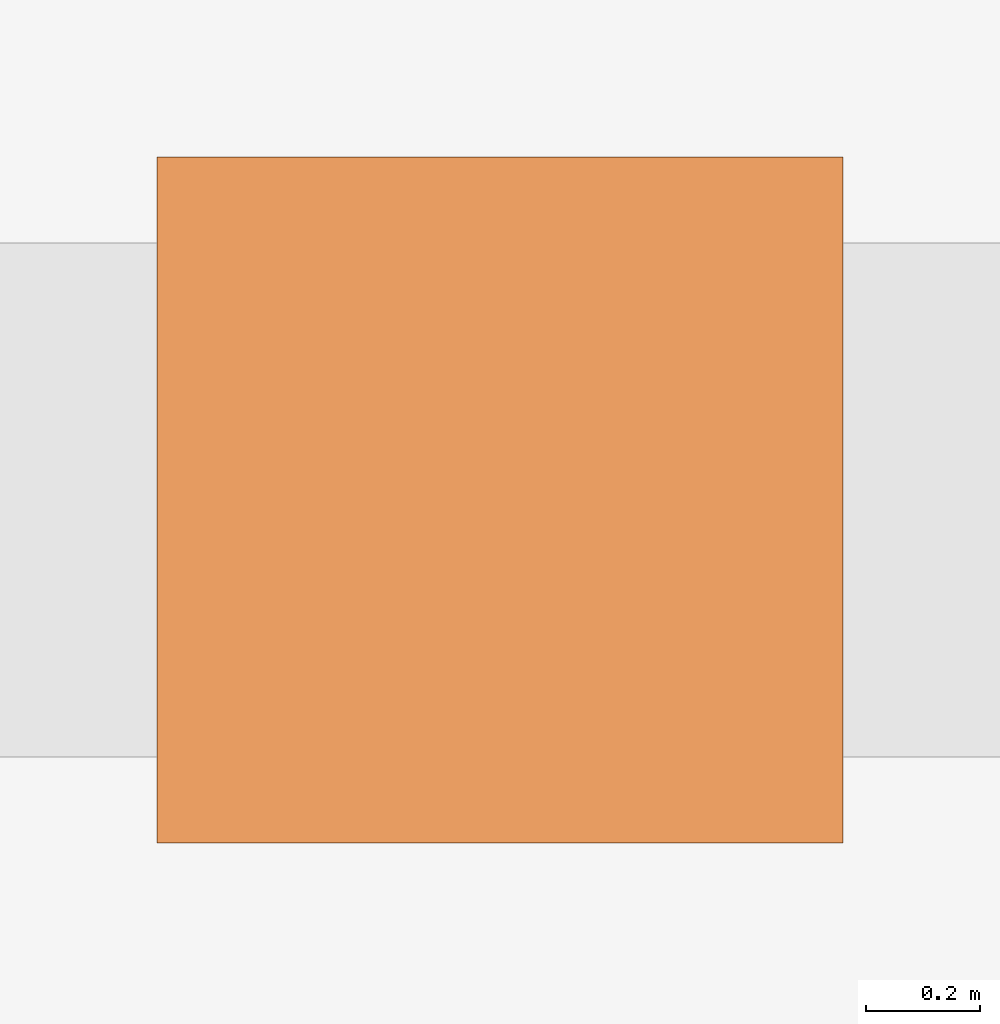
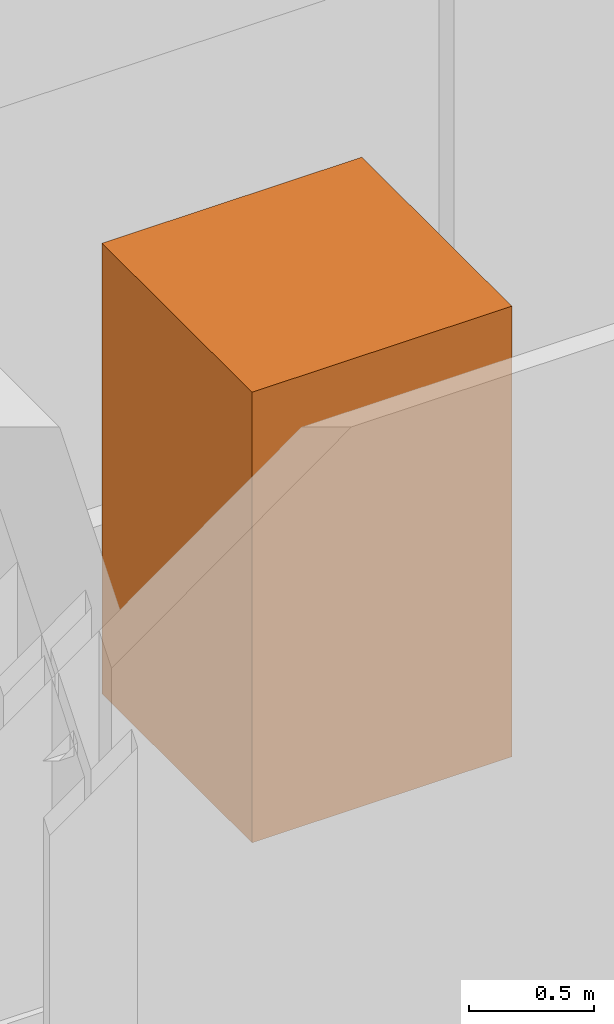
# One storey, part 10 of 10: 1 geographic element.
"""IFC4 building model written with IfcOpenShell, lengths in metres."""

from ifc_helpers import new_model, si_unit, direction, frame, origin, origin_2d, place, context, subcontext, project, spatial, rectangle, extrude, material, type_object, element, save


model = new_model("IFC4")

# Units and contexts
model_context = context("Model", 3, precision=1e-05, world=origin(), true_north=direction((0.0, 1.0)))
body_context = subcontext(model_context, "Body", "Model", "MODEL_VIEW")
ifc_project = project(units=[si_unit("LENGTHUNIT", "METRE"), si_unit("AREAUNIT", "SQUARE_METRE"), si_unit("VOLUMEUNIT", "CUBIC_METRE"), si_unit("PLANEANGLEUNIT", "RADIAN"), si_unit("MASSUNIT", "GRAM", prefix="KILO")], contexts=[model_context])

# Site, building, storey
site_placement = place(None, origin())
site = spatial("IfcSite", under=ifc_project, at=site_placement, CompositionType="ELEMENT")
building_placement = place(site_placement, origin())
building = spatial("IfcBuilding", under=site, at=building_placement, Name="Immortelle Media Tower", CompositionType="ELEMENT")
storey_placement = place(building_placement, frame((0.0, 0.0, 221.0)))
storey = spatial("IfcBuildingStorey", under=building, at=storey_placement, Name="L47", CompositionType="ELEMENT", Elevation=221.0)

# Geographic element
ifc_material = material(Name="Tree canopy foliage")
geographic_element_type = type_object("IfcGeographicElementType", Name="Tree", PredefinedType="USERDEFINED", material=ifc_material)
geographic_element_placement = place(storey_placement, frame((26.0, 1.550048828125, 0.60009765625), z_axis=(0.0, 0.0, 1.0), x_axis=(1.0, 0.0, 0.0)))
element("IfcGeographicElement", 1, at=geographic_element_placement, inside=storey, type_object=geographic_element_type, Name="Tree L47 S2", ObjectType="Tree", PredefinedType="USERDEFINED", context=body_context, shape_type="SweptSolid", body=[
    extrude(rectangle(XDim=1.199951171875, YDim=1.199951171875, at=origin_2d()), origin(), (0.0, 0.0, 1.0), 2.199951171875),
])

save(model, "model.ifc")
